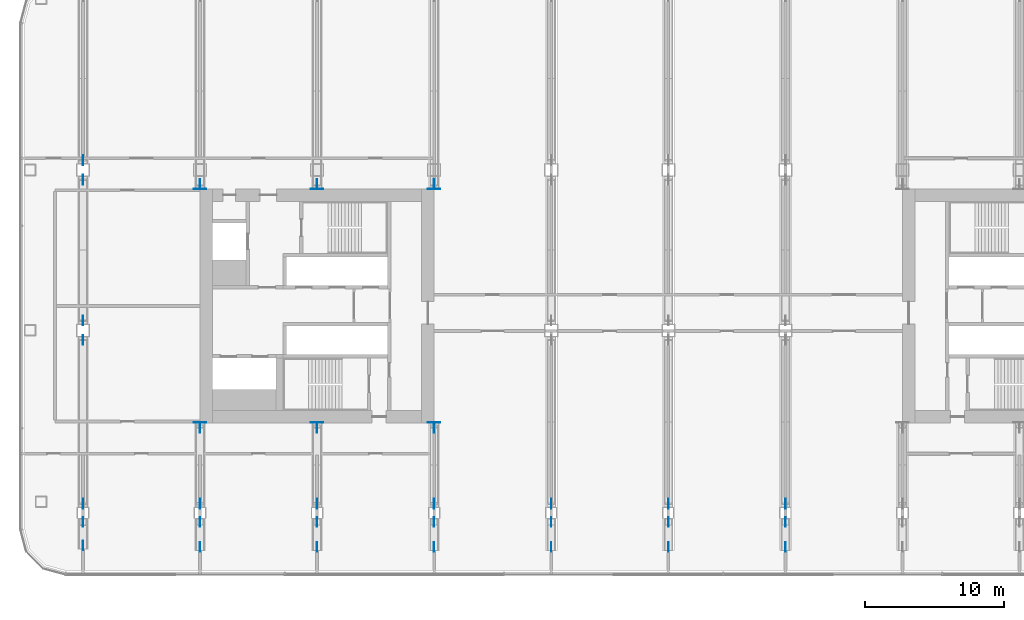
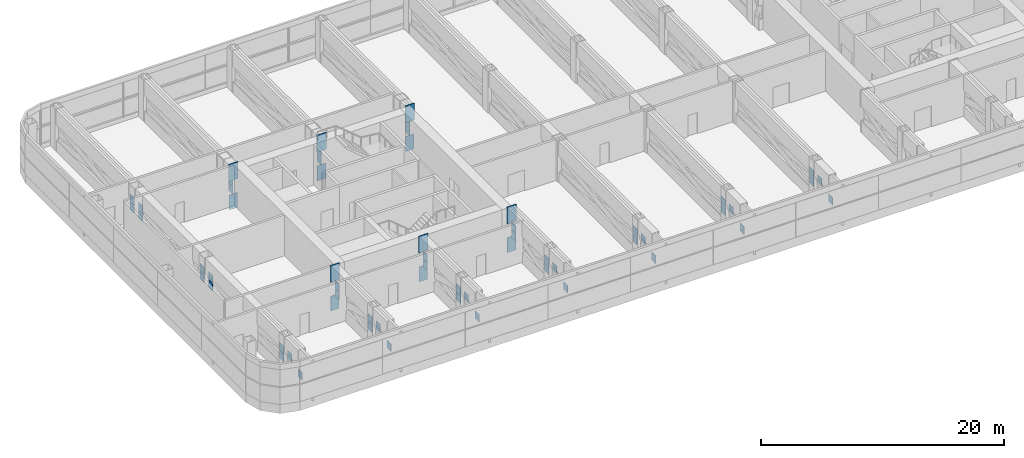
# One storey, part 22 of 31: 60 discrete accessories.
"""IFC4 building model written with IfcOpenShell, lengths in metres."""

from ifc_helpers import new_model, si_unit, direction, frame, origin, origin_2d, place, context, subcontext, project, spatial, rectangle, extrude, material, material_profile, profile_set, type_object, element, save


model = new_model("IFC4")

# Units and contexts
model_context = context("Model", 3, precision=1e-05, world=origin(), true_north=direction((0.0, 1.0)))
body_context = subcontext(model_context, "Body", "Model", "MODEL_VIEW")
ifc_project = project(units=[si_unit("LENGTHUNIT", "METRE"), si_unit("AREAUNIT", "SQUARE_METRE"), si_unit("VOLUMEUNIT", "CUBIC_METRE"), si_unit("PLANEANGLEUNIT", "RADIAN"), si_unit("MASSUNIT", "GRAM", prefix="KILO")], contexts=[model_context])

# Site, building, storey
site_placement = place(None, origin())
site = spatial("IfcSite", under=ifc_project, at=site_placement, CompositionType="ELEMENT")
building_placement = place(site_placement, origin())
building = spatial("IfcBuilding", under=site, at=building_placement, Name="Hakoniwa Tower and Hamabe Station Hall", CompositionType="ELEMENT")
storey_placement = place(building_placement, frame((0.0, 0.0, 120.199951171875)))
storey = spatial("IfcBuildingStorey", under=building, at=storey_placement, Name="L34", CompositionType="ELEMENT", Elevation=120.199951171875)

# Discrete accessories
ifc_material_1 = material(Name="Steel SN490C", Category="steel")
ifc_material_profile_1 = material_profile(ifc_material_1, rectangle(XDim=0.800048828125, YDim=1.5, at=origin_2d()), Name="CAST-IN PLATE BX-1300x600x50")
ifc_profile_set_1 = profile_set([ifc_material_profile_1], Name="Steel SN490C")
discrete_accessory_type_1 = type_object("IfcDiscreteAccessoryType", Name="CAST-IN PLATE BX-1300x600x50", PredefinedType="ANCHORPLATE", material=ifc_profile_set_1)
for number, where, z_axis, x_axis, name in (
    (1, (-33.60009765625, -8.360107421875, 0.35009765625), (0.0, -1.0, 0.0), (1.0, 0.0, 0.0), "Cast-in plate T2-05-BC01"),
    (2, (-33.60009765625, 8.360107421875, 0.35009765625), (0.0, 1.0, 0.0), (-1.0, 0.0, 0.0), "Cast-in plate T2-06-BC01"),
    (3, (-25.199951171875, -8.360107421875, 0.35009765625), (0.0, -1.0, 0.0), (1.0, 0.0, 0.0), "Cast-in plate T2-07-BC01"),
    (4, (-25.199951171875, 8.360107421875, 0.35009765625), (0.0, 1.0, 0.0), (-1.0, 0.0, 0.0), "Cast-in plate T2-08-BC01"),
    (5, (-16.800048828125, -8.360107421875, 0.35009765625), (0.0, -1.0, 0.0), (1.0, 0.0, 0.0), "Cast-in plate T2-09-BC01"),
    (6, (-16.800048828125, 8.360107421875, 0.35009765625), (0.0, 1.0, 0.0), (-1.0, 0.0, 0.0), "Cast-in plate T2-10-BC01"),
):
    element("IfcDiscreteAccessory", number, at=place(storey_placement, frame(where, z_axis=z_axis, x_axis=x_axis)), inside=storey, type_object=discrete_accessory_type_1, Name=name, PredefinedType="ANCHORPLATE", context=body_context, shape_type="SweptSolid", body=[
        extrude(rectangle(XDim=0.800048828125, YDim=1.5, at=origin_2d()), origin(), (0.0, 0.0, 1.0), 0.039794921875),
    ])
ifc_material_2 = material(Name="Steel SN490C", Category="steel")
ifc_material_profile_2 = material_profile(ifc_material_2, rectangle(XDim=0.89990234375, YDim=1.699951171875, at=origin_2d()), Name="CAST-IN PLATE BX-1500x700x55")
ifc_profile_set_2 = profile_set([ifc_material_profile_2], Name="Steel SN490C")
discrete_accessory_type_2 = type_object("IfcDiscreteAccessoryType", Name="CAST-IN PLATE BX-1500x700x55", PredefinedType="ANCHORPLATE", material=ifc_profile_set_2)
for number, where, z_axis, x_axis, name in (
    (7, (-33.60009765625, -8.35498046875, 3.35009765625), (0.0, -1.0, 0.0), (1.0, 0.0, 0.0), "Cast-in plate T2-05-TC01"),
    (8, (-33.60009765625, 8.35498046875, 3.35009765625), (0.0, 1.0, 0.0), (-1.0, 0.0, 0.0), "Cast-in plate T2-06-TC01"),
    (9, (-25.199951171875, -8.35498046875, 3.35009765625), (0.0, -1.0, 0.0), (1.0, 0.0, 0.0), "Cast-in plate T2-07-TC01"),
    (10, (-25.199951171875, 8.35498046875, 3.35009765625), (0.0, 1.0, 0.0), (-1.0, 0.0, 0.0), "Cast-in plate T2-08-TC01"),
    (11, (-16.800048828125, -8.35498046875, 3.35009765625), (0.0, -1.0, 0.0), (1.0, 0.0, 0.0), "Cast-in plate T2-09-TC01"),
    (12, (-16.800048828125, 8.35498046875, 3.35009765625), (0.0, 1.0, 0.0), (-1.0, 0.0, 0.0), "Cast-in plate T2-10-TC01"),
):
    element("IfcDiscreteAccessory", number, at=place(storey_placement, frame(where, z_axis=z_axis, x_axis=x_axis)), inside=storey, type_object=discrete_accessory_type_2, Name=name, PredefinedType="ANCHORPLATE", context=body_context, shape_type="SweptSolid", body=[
        extrude(rectangle(XDim=0.89990234375, YDim=1.699951171875, at=origin_2d()), origin(), (0.0, 0.0, 1.0), 0.044921875),
    ])
ifc_material_3 = material(Name="Steel SN490C", Category="steel")
ifc_material_profile_3 = material_profile(ifc_material_3, rectangle(XDim=0.699951171875, YDim=0.77001953125, at=origin_2d()), Name="GUSSET PLATE BX-700x500x32")
ifc_profile_set_3 = profile_set([ifc_material_profile_3], Name="Steel SN490C")
discrete_accessory_type_3 = type_object("IfcDiscreteAccessoryType", Name="GUSSET PLATE BX-700x500x32", PredefinedType="USERDEFINED", material=ifc_profile_set_3)
for number, where, z_axis, x_axis, name in (
    (13, (-41.985107421875, -14.199951171875, 1.385009765625), (-1.0, 0.0, 0.0), (0.0, -1.0, 0.0), "Gusset plate T2-003-D01A"),
    (14, (-41.985107421875, -2.449951171875, 2.215087890625), (-1.0, 0.0, 0.0), (0.0, -1.0, 0.0), "Gusset plate T2-003-D01A"),
    (15, (-41.985107421875, -14.199951171875, 2.215087890625), (-1.0, 0.0, 0.0), (0.0, -1.0, 0.0), "Gusset plate T2-003-D01B"),
    (16, (-41.985107421875, -2.449951171875, 1.385009765625), (-1.0, 0.0, 0.0), (0.0, -1.0, 0.0), "Gusset plate T2-003-D01B"),
    (17, (-41.985107421875, -1.050048828125, 1.385009765625), (-1.0, 0.0, 0.0), (0.0, -1.0, 0.0), "Gusset plate T2-003-D02A"),
    (18, (-41.985107421875, 9.050048828125, 2.215087890625), (-1.0, 0.0, 0.0), (0.0, -1.0, 0.0), "Gusset plate T2-003-D02A"),
    (19, (-41.985107421875, -1.050048828125, 2.215087890625), (-1.0, 0.0, 0.0), (0.0, -1.0, 0.0), "Gusset plate T2-003-D02B"),
    (20, (-41.985107421875, 9.050048828125, 1.385009765625), (-1.0, 0.0, 0.0), (0.0, -1.0, 0.0), "Gusset plate T2-003-D02B"),
    (21, (-41.985107421875, 10.449951171875, 1.385009765625), (-1.0, 0.0, 0.0), (0.0, -1.0, 0.0), "Gusset plate T2-003-D03A"),
    (22, (-41.985107421875, 10.449951171875, 2.215087890625), (-1.0, 0.0, 0.0), (0.0, -1.0, 0.0), "Gusset plate T2-003-D03B"),
    (23, (-41.985107421875, -17.194091796875, 1.385009765625), (-1.0, 0.0, 0.0), (0.0, -1.0, 0.0), "Gusset plate T2-003-DLA"),
    (24, (-41.985107421875, -15.5, 2.215087890625), (-1.0, 0.0, 0.0), (0.0, -1.0, 0.0), "Gusset plate T2-003-DLA"),
):
    element("IfcDiscreteAccessory", number, at=place(storey_placement, frame(where, z_axis=z_axis, x_axis=x_axis)), inside=storey, type_object=discrete_accessory_type_3, Name=name, ObjectType="GUSSET PLATE", PredefinedType="USERDEFINED", context=body_context, shape_type="SweptSolid", body=[
        extrude(rectangle(XDim=0.699951171875, YDim=0.77001953125, at=origin_2d()), origin(), (0.0, 0.0, 1.0), 0.02978515625),
    ])
for number, where, z_axis, x_axis, name in (
    (25, (-33.5849609375, -14.199951171875, 1.385009765625), (-1.0, 0.0, 0.0), (0.0, -1.0, 0.0), "Gusset plate T2-005-D01A"),
    (26, (-33.5849609375, -8.75, 2.215087890625), (-1.0, 0.0, 0.0), (0.0, -1.0, 0.0), "Gusset plate T2-005-D01A"),
    (27, (-33.5849609375, -14.199951171875, 2.215087890625), (-1.0, 0.0, 0.0), (0.0, -1.0, 0.0), "Gusset plate T2-005-D01B"),
    (28, (-33.5849609375, -8.75, 1.385009765625), (-1.0, 0.0, 0.0), (0.0, -1.0, 0.0), "Gusset plate T2-005-D01B"),
    (29, (-33.5849609375, -17.300048828125, 1.385009765625), (-1.0, 0.0, 0.0), (0.0, -1.0, 0.0), "Gusset plate T2-005-DLA"),
    (30, (-33.5849609375, -15.5, 2.215087890625), (-1.0, 0.0, 0.0), (0.0, -1.0, 0.0), "Gusset plate T2-005-DLA"),
    (31, (-33.5849609375, 8.75, 1.385009765625), (-1.0, 0.0, 0.0), (0.0, -1.0, 0.0), "Gusset plate T2-006-D01A"),
    (32, (-33.5849609375, 8.75, 2.215087890625), (-1.0, 0.0, 0.0), (0.0, -1.0, 0.0), "Gusset plate T2-006-D01B"),
    (33, (-25.18505859375, -14.199951171875, 1.385009765625), (-1.0, 0.0, 0.0), (0.0, -1.0, 0.0), "Gusset plate T2-007-D01A"),
    (34, (-25.18505859375, -8.75, 2.215087890625), (-1.0, 0.0, 0.0), (0.0, -1.0, 0.0), "Gusset plate T2-007-D01A"),
    (35, (-25.18505859375, -14.199951171875, 2.215087890625), (-1.0, 0.0, 0.0), (0.0, -1.0, 0.0), "Gusset plate T2-007-D01B"),
    (36, (-25.18505859375, -8.75, 1.385009765625), (-1.0, 0.0, 0.0), (0.0, -1.0, 0.0), "Gusset plate T2-007-D01B"),
    (37, (-25.18505859375, -17.300048828125, 1.385009765625), (-1.0, 0.0, 0.0), (0.0, -1.0, 0.0), "Gusset plate T2-007-DLA"),
    (38, (-25.18505859375, -15.5, 2.215087890625), (-1.0, 0.0, 0.0), (0.0, -1.0, 0.0), "Gusset plate T2-007-DLA"),
    (39, (-25.18505859375, 8.75, 1.385009765625), (-1.0, 0.0, 0.0), (0.0, -1.0, 0.0), "Gusset plate T2-008-D01A"),
    (40, (-25.18505859375, 8.75, 2.215087890625), (-1.0, 0.0, 0.0), (0.0, -1.0, 0.0), "Gusset plate T2-008-D01B"),
    (41, (-16.784912109375, -14.199951171875, 1.385009765625), (-1.0, 0.0, 0.0), (0.0, -1.0, 0.0), "Gusset plate T2-009-D01A"),
    (42, (-16.784912109375, -8.75, 2.215087890625), (-1.0, 0.0, 0.0), (0.0, -1.0, 0.0), "Gusset plate T2-009-D01A"),
    (43, (-16.784912109375, -14.199951171875, 2.215087890625), (-1.0, 0.0, 0.0), (0.0, -1.0, 0.0), "Gusset plate T2-009-D01B"),
    (44, (-16.784912109375, -8.75, 1.385009765625), (-1.0, 0.0, 0.0), (0.0, -1.0, 0.0), "Gusset plate T2-009-D01B"),
    (45, (-16.784912109375, -17.300048828125, 1.385009765625), (-1.0, 0.0, 0.0), (0.0, -1.0, 0.0), "Gusset plate T2-009-DLA"),
    (46, (-16.784912109375, -15.5, 2.215087890625), (-1.0, 0.0, 0.0), (0.0, -1.0, 0.0), "Gusset plate T2-009-DLA"),
    (47, (-16.784912109375, 8.75, 1.385009765625), (-1.0, 0.0, 0.0), (0.0, -1.0, 0.0), "Gusset plate T2-010-D01A"),
    (48, (-16.784912109375, 8.75, 2.215087890625), (-1.0, 0.0, 0.0), (0.0, -1.0, 0.0), "Gusset plate T2-010-D01B"),
    (49, (-8.385009765625, -14.199951171875, 1.385009765625), (-1.0, 0.0, 0.0), (0.0, -1.0, 0.0), "Gusset plate T2-011-D01A"),
    (50, (-8.385009765625, -14.199951171875, 2.215087890625), (-1.0, 0.0, 0.0), (0.0, -1.0, 0.0), "Gusset plate T2-011-D01B"),
    (51, (-8.385009765625, -17.300048828125, 1.385009765625), (-1.0, 0.0, 0.0), (0.0, -1.0, 0.0), "Gusset plate T2-011-DLA"),
    (52, (-8.385009765625, -15.5, 2.215087890625), (-1.0, 0.0, 0.0), (0.0, -1.0, 0.0), "Gusset plate T2-011-DLA"),
):
    element("IfcDiscreteAccessory", number, at=place(storey_placement, frame(where, z_axis=z_axis, x_axis=x_axis)), inside=storey, type_object=discrete_accessory_type_3, Name=name, ObjectType="GUSSET PLATE", PredefinedType="USERDEFINED", context=body_context, shape_type="SweptSolid", body=[
        extrude(rectangle(XDim=0.699951171875, YDim=0.77001953125, at=origin_2d()), origin(), (0.0, 0.0, 1.0), 0.030029296875),
    ])
for number, where, z_axis, x_axis, name in (
    (53, (0.014892578125, -14.199951171875, 1.385009765625), (-1.0, 0.0, 0.0), (0.0, -1.0, 0.0), "Gusset plate T2-012-D01A"),
    (54, (0.014892578125, -14.199951171875, 2.215087890625), (-1.0, 0.0, 0.0), (0.0, -1.0, 0.0), "Gusset plate T2-012-D01B"),
    (55, (0.014892578125, -17.300048828125, 1.385009765625), (-1.0, 0.0, 0.0), (0.0, -1.0, 0.0), "Gusset plate T2-012-DLA"),
    (56, (0.014892578125, -15.5, 2.215087890625), (-1.0, 0.0, 0.0), (0.0, -1.0, 0.0), "Gusset plate T2-012-DLA"),
):
    element("IfcDiscreteAccessory", number, at=place(storey_placement, frame(where, z_axis=z_axis, x_axis=x_axis)), inside=storey, type_object=discrete_accessory_type_3, Name=name, ObjectType="GUSSET PLATE", PredefinedType="USERDEFINED", context=body_context, shape_type="SweptSolid", body=[
        extrude(rectangle(XDim=0.699951171875, YDim=0.77001953125, at=origin_2d()), origin(), (0.0, 0.0, 1.0), 0.02978515625),
    ])
for number, where, z_axis, x_axis, name in (
    (57, (8.4150390625, -14.199951171875, 1.385009765625), (-1.0, 0.0, 0.0), (0.0, -1.0, 0.0), "Gusset plate T2-013-D01A"),
    (58, (8.4150390625, -14.199951171875, 2.215087890625), (-1.0, 0.0, 0.0), (0.0, -1.0, 0.0), "Gusset plate T2-013-D01B"),
    (59, (8.4150390625, -17.300048828125, 1.385009765625), (-1.0, 0.0, 0.0), (0.0, -1.0, 0.0), "Gusset plate T2-013-DLA"),
    (60, (8.4150390625, -15.5, 2.215087890625), (-1.0, 0.0, 0.0), (0.0, -1.0, 0.0), "Gusset plate T2-013-DLA"),
):
    element("IfcDiscreteAccessory", number, at=place(storey_placement, frame(where, z_axis=z_axis, x_axis=x_axis)), inside=storey, type_object=discrete_accessory_type_3, Name=name, ObjectType="GUSSET PLATE", PredefinedType="USERDEFINED", context=body_context, shape_type="SweptSolid", body=[
        extrude(rectangle(XDim=0.699951171875, YDim=0.77001953125, at=origin_2d()), origin(), (0.0, 0.0, 1.0), 0.030029296875),
    ])

save(model, "model.ifc")
